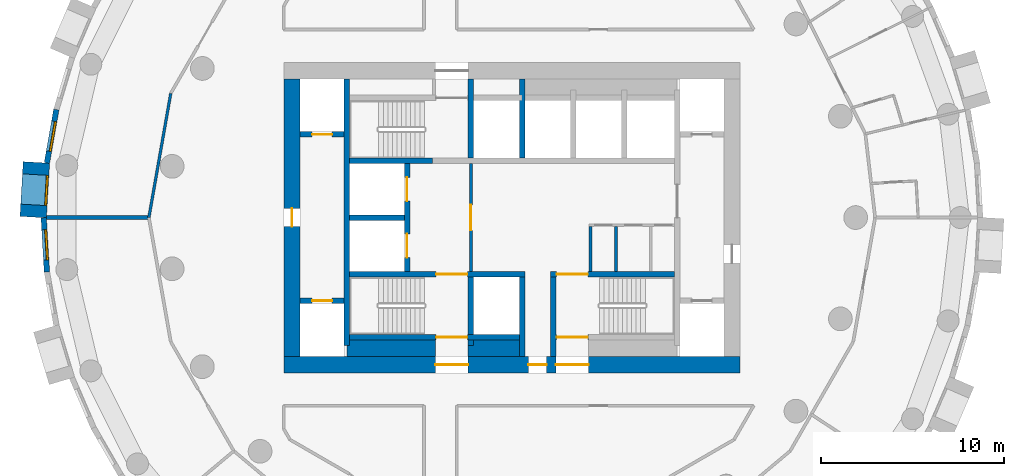
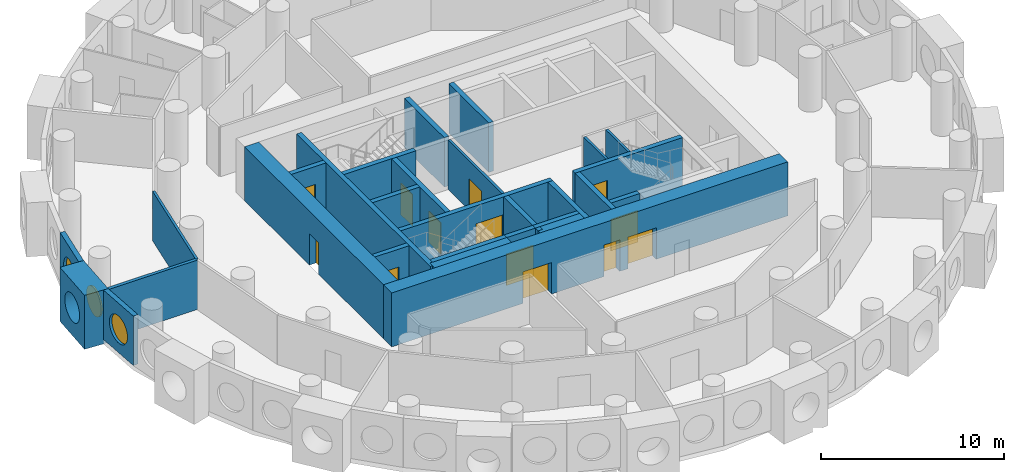
# One storey, part 3 of 10: 29 walls, 13 doors, 3 windows, 16 openings.
"""IFC4 building model written with IfcOpenShell, lengths in metres."""

from ifc_helpers import new_model, si_unit, direction, frame, frame_2d, origin, origin_2d, place, context, subcontext, project, spatial, rectangle, circle, extrude, material, layer, layer_set, type_object, element, fill, save


model = new_model("IFC4")

# Units and contexts
model_context = context("Model", 3, precision=1e-05, world=origin(), true_north=direction((0.0, 1.0)))
body_context = subcontext(model_context, "Body", "Model", "MODEL_VIEW")
ifc_project = project(units=[si_unit("LENGTHUNIT", "METRE"), si_unit("AREAUNIT", "SQUARE_METRE"), si_unit("VOLUMEUNIT", "CUBIC_METRE"), si_unit("PLANEANGLEUNIT", "RADIAN"), si_unit("MASSUNIT", "GRAM", prefix="KILO")], contexts=[model_context])

# Site, building, storey
site_placement = place(None, origin())
site = spatial("IfcSite", under=ifc_project, at=site_placement, CompositionType="ELEMENT")
building_placement = place(site_placement, origin())
building = spatial("IfcBuilding", under=site, at=building_placement, Name="Tracery Tower", CompositionType="ELEMENT")
storey_placement = place(building_placement, frame((0.0, 0.0, 129.60009765625)))
storey = spatial("IfcBuildingStorey", under=building, at=storey_placement, Name="L32", CompositionType="ELEMENT", Elevation=129.60009765625)

# Wall, opening, door
ifc_material_1 = material(Name="Plasterboard on steel studs", Category="steel")
ifc_layer_1 = layer(ifc_material_1, 0.14990234375)
ifc_layer_set_1 = layer_set([ifc_layer_1], Name="Core lobby partition 150")
wall_type_1 = type_object("IfcWallType", Name="Core lobby partition 150", PredefinedType="SOLIDWALL", material=ifc_layer_set_1)
wall_1_placement = place(storey_placement, frame((-2.25, -2.949951171875, 0.0), z_axis=(0.0, 0.0, 1.0), x_axis=(0.0, 1.0, 0.0)))
wall_1 = element("IfcWall", 1, at=wall_1_placement, inside=storey, type_object=wall_type_1, Name="L32 FF lobby E", PredefinedType="SOLIDWALL", context=body_context, shape_type="SweptSolid", body=[
    extrude(rectangle(XDim=5.89990234375, YDim=0.14990234375, at=frame_2d((2.949951171875, 0.0))), origin(), (0.0, 0.0, 1.0), 3.2998046875),
])
opening_1_placement = place(wall_1_placement, frame((2.25, 0.0, 0.0)))
opening_1 = element("IfcOpeningElement", 2, at=opening_1_placement, cuts=wall_1, Name="Opening KD8", PredefinedType="OPENING", context=body_context, shape_type="SweptSolid", body=[
    extrude(rectangle(XDim=1.39990234375, YDim=2.10009765625, at=frame_2d((0.699951171875, 1.050048828125))), frame((0.0, 0.074951171875, 0.0), z_axis=(0.0, -1.0, 0.0), x_axis=(1.0, 0.0, 0.0)), (0.0, 0.0, 1.0), 0.14990234375),
])
ifc_material_2 = material(Name="Steel fire door", Category="steel")
door_type_1 = type_object("IfcDoorType", Name="Core lobby door 1400 double", OperationType="NOTDEFINED", PredefinedType="DOOR", material=ifc_material_2)
door_1_placement = place(opening_1_placement, origin())
door_1 = element("IfcDoor", 3, at=door_1_placement, inside=storey, type_object=door_type_1, Name="Fire-fighting lobby door", OperationType="DOUBLE_DOOR_SINGLE_SWING", OverallHeight=2.10009765625, OverallWidth=1.39990234375, PredefinedType="DOOR", context=body_context, shape_type="SweptSolid", body=[
    extrude(rectangle(XDim=1.39990234375, YDim=2.10009765625, at=frame_2d((0.699951171875, 1.050048828125))), frame((0.0, 0.02490234375, 0.0), z_axis=(0.0, -1.0, 0.0), x_axis=(1.0, 0.0, 0.0)), (0.0, 0.0, 1.0), 0.050048828125),
])
fill(opening_1, door_1)

# Walls
ifc_material_3 = material(Name="Plasterboard on steel studs", Category="steel")
ifc_layer_2 = layer(ifc_material_3, 0.14990234375)
ifc_layer_set_2 = layer_set([ifc_layer_2], Name="Core room partition 150")
wall_type_2 = type_object("IfcWallType", Name="Core room partition 150", PredefinedType="SOLIDWALL", material=ifc_layer_set_2)
for number, where, z_axis, x_axis, name in (
    (4, (4.300048828125, -2.949951171875, 0.0), (0.0, 0.0, 1.0), (0.0, 1.0, 0.0), "L32 slot W"),
    (5, (5.699951171875, -2.949951171875, 0.0), (0.0, 0.0, 1.0), (0.0, 1.0, 0.0), "L32 slot sep 1"),
):
    element("IfcWall", number, at=place(storey_placement, frame(where, z_axis=z_axis, x_axis=x_axis)), inside=storey, type_object=wall_type_2, Name=name, PredefinedType="SOLIDWALL", context=body_context, shape_type="SweptSolid", body=[
        extrude(rectangle(XDim=2.449951171875, YDim=0.14990234375, at=frame_2d((1.22509765625, 0.0))), origin(), (0.0, 0.0, 1.0), 3.2998046875),
    ])
ifc_material_4 = material(Name="Concrete C50/60", Category="concrete")
ifc_layer_3 = layer(ifc_material_4, 0.89990234375)
ifc_layer_set_3 = layer_set([ifc_layer_3], Name="Core strip wall 900 C50")
wall_type_3 = type_object("IfcWallType", Name="Core strip wall 900 C50", PredefinedType="SOLIDWALL", material=ifc_layer_set_3)
wall_2_placement = place(storey_placement, frame((-9.050048828125, -7.14990234375, 0.0), z_axis=(0.0, 0.0, 1.0), x_axis=(1.0, 0.0, 0.0)))
element("IfcWall", 6, at=wall_2_placement, inside=storey, type_object=wall_type_3, Name="L32 F thick S W", PredefinedType="SOLIDWALL", context=body_context, shape_type="SweptSolid", body=[
    extrude(rectangle(XDim=4.85009765625, YDim=0.89990234375, at=frame_2d((2.425048828125, 0.0))), origin(), (0.0, 0.0, 1.0), 3.2998046875),
])
wall_3_placement = place(storey_placement, frame((-2.39990234375, -7.14990234375, 0.0), z_axis=(0.0, 0.0, 1.0), x_axis=(1.0, 0.0, 0.0)))
element("IfcWall", 7, at=wall_3_placement, inside=storey, type_object=wall_type_3, Name="L32 F thick S mid", PredefinedType="SOLIDWALL", context=body_context, shape_type="SweptSolid", body=[
    extrude(rectangle(XDim=2.7998046875, YDim=0.89990234375, at=frame_2d((1.39990234375, 0.0))), origin(), (0.0, 0.0, 1.0), 3.2998046875),
])

# Wall, openings, doors
ifc_material_5 = material(Name="Concrete C50/60", Category="concrete")
ifc_layer_4 = layer(ifc_material_5, 0.89990234375)
ifc_layer_set_4 = layer_set([ifc_layer_4], Name="Core wall 900 C50")
wall_type_4 = type_object("IfcWallType", Name="Core wall 900 C50", PredefinedType="SOLIDWALL", material=ifc_layer_set_4)
wall_4_placement = place(storey_placement, frame((-12.5, -8.050048828125, 0.0), z_axis=(0.0, 0.0, 1.0), x_axis=(1.0, 0.0, 0.0)))
wall_4 = element("IfcWall", 8, at=wall_4_placement, inside=storey, type_object=wall_type_4, Name="L32 outer S", PredefinedType="SOLIDWALL", context=body_context, shape_type="SweptSolid", body=[
    extrude(rectangle(XDim=25.0, YDim=0.89990234375, at=frame_2d((12.5, 0.0))), origin(), (0.0, 0.0, 1.0), 3.599853515625),
])
opening_2_placement = place(wall_4_placement, frame((13.39990234375, 0.0, 0.0)))
opening_2 = element("IfcOpeningElement", 9, at=opening_2_placement, cuts=wall_4, Name="Opening KD16", PredefinedType="OPENING", context=body_context, shape_type="SweptSolid", body=[
    extrude(rectangle(XDim=1.0, YDim=2.10009765625, at=frame_2d((0.5, 1.050048828125))), frame((0.0, 0.449951171875, 0.0), z_axis=(0.0, -1.0, 0.0), x_axis=(1.0, 0.0, 0.0)), (0.0, 0.0, 1.0), 0.89990234375),
])
opening_3_placement = place(wall_4_placement, frame((8.300048828125, 0.0, 0.0)))
opening_3 = element("IfcOpeningElement", 10, at=opening_3_placement, cuts=wall_4, Name="Opening KD13", PredefinedType="OPENING", context=body_context, shape_type="SweptSolid", body=[
    extrude(rectangle(XDim=1.800048828125, YDim=2.10009765625, at=frame_2d((0.89990234375, 1.050048828125))), frame((0.0, 0.449951171875, 0.0), z_axis=(0.0, -1.0, 0.0), x_axis=(1.0, 0.0, 0.0)), (0.0, 0.0, 1.0), 0.89990234375),
])
opening_4_placement = place(wall_4_placement, frame((14.89990234375, 0.0, 0.0)))
opening_4 = element("IfcOpeningElement", 11, at=opening_4_placement, cuts=wall_4, Name="Opening KD13", PredefinedType="OPENING", context=body_context, shape_type="SweptSolid", body=[
    extrude(rectangle(XDim=1.800048828125, YDim=2.10009765625, at=frame_2d((0.89990234375, 1.050048828125))), frame((0.0, 0.449951171875, 0.0), z_axis=(0.0, -1.0, 0.0), x_axis=(1.0, 0.0, 0.0)), (0.0, 0.0, 1.0), 0.89990234375),
])
ifc_material_6 = material(Name="Steel fire door", Category="steel")
door_type_2 = type_object("IfcDoorType", Name="Core exit door 1000", OperationType="NOTDEFINED", PredefinedType="DOOR", material=ifc_material_6)
door_2_placement = place(opening_2_placement, origin())
door_2 = element("IfcDoor", 12, at=door_2_placement, inside=storey, type_object=door_type_2, Name="Core exit door", OperationType="SINGLE_SWING_LEFT", OverallHeight=2.10009765625, OverallWidth=1.0, PredefinedType="DOOR", context=body_context, shape_type="SweptSolid", body=[
    extrude(rectangle(XDim=1.0, YDim=2.10009765625, at=frame_2d((0.5, 1.050048828125))), frame((0.0, 0.02490234375, 0.0), z_axis=(0.0, -1.0, 0.0), x_axis=(1.0, 0.0, 0.0)), (0.0, 0.0, 1.0), 0.050048828125),
])
fill(opening_2, door_2)
ifc_material_7 = material(Name="Steel fire door", Category="steel")
door_type_3 = type_object("IfcDoorType", Name="Core exit door 1800 double", OperationType="NOTDEFINED", PredefinedType="DOOR", material=ifc_material_7)
door_3_placement = place(opening_3_placement, origin())
door_3 = element("IfcDoor", 13, at=door_3_placement, inside=storey, type_object=door_type_3, Name="Core exit door", OperationType="DOUBLE_DOOR_SINGLE_SWING", OverallHeight=2.10009765625, OverallWidth=1.800048828125, PredefinedType="DOOR", context=body_context, shape_type="SweptSolid", body=[
    extrude(rectangle(XDim=1.800048828125, YDim=2.10009765625, at=frame_2d((0.89990234375, 1.050048828125))), frame((0.0, 0.02490234375, 0.0), z_axis=(0.0, -1.0, 0.0), x_axis=(1.0, 0.0, 0.0)), (0.0, 0.0, 1.0), 0.050048828125),
])
fill(opening_3, door_3)
door_4_placement = place(opening_4_placement, origin())
door_4 = element("IfcDoor", 14, at=door_4_placement, inside=storey, type_object=door_type_3, Name="Core exit door", OperationType="DOUBLE_DOOR_SINGLE_SWING", OverallHeight=2.10009765625, OverallWidth=1.800048828125, PredefinedType="DOOR", context=body_context, shape_type="SweptSolid", body=[
    extrude(rectangle(XDim=1.800048828125, YDim=2.10009765625, at=frame_2d((0.89990234375, 1.050048828125))), frame((0.0, 0.02490234375, 0.0), z_axis=(0.0, -1.0, 0.0), x_axis=(1.0, 0.0, 0.0)), (0.0, 0.0, 1.0), 0.050048828125),
])
fill(opening_4, door_4)

# Wall, opening, door
wall_5_placement = place(storey_placement, frame((-12.050048828125, -7.60009765625, 0.0), z_axis=(0.0, 0.0, 1.0), x_axis=(0.0, 1.0, 0.0)))
wall_5 = element("IfcWall", 15, at=wall_5_placement, inside=storey, type_object=wall_type_4, Name="L32 outer W", PredefinedType="SOLIDWALL", context=body_context, shape_type="SweptSolid", body=[
    extrude(rectangle(XDim=15.2001953125, YDim=0.89990234375, at=frame_2d((7.60009765625, 0.0))), origin(), (0.0, 0.0, 1.0), 3.599853515625),
])
opening_5_placement = place(wall_5_placement, frame((7.10009765625, 0.0, 0.0)))
opening_5 = element("IfcOpeningElement", 16, at=opening_5_placement, cuts=wall_5, Name="Opening KD18", PredefinedType="OPENING", context=body_context, shape_type="SweptSolid", body=[
    extrude(rectangle(XDim=1.0, YDim=2.10009765625, at=frame_2d((0.5, 1.050048828125))), frame((0.0, 0.449951171875, 0.0), z_axis=(0.0, -1.0, 0.0), x_axis=(1.0, 0.0, 0.0)), (0.0, 0.0, 1.0), 0.89990234375),
])
door_5_placement = place(opening_5_placement, origin())
door_5 = element("IfcDoor", 17, at=door_5_placement, inside=storey, type_object=door_type_2, Name="Core exit door", OperationType="DOUBLE_DOOR_SINGLE_SWING", OverallHeight=2.10009765625, OverallWidth=1.0, PredefinedType="DOOR", context=body_context, shape_type="SweptSolid", body=[
    extrude(rectangle(XDim=1.0, YDim=2.10009765625, at=frame_2d((0.5, 1.050048828125))), frame((0.0, 0.02490234375, 0.0), z_axis=(0.0, -1.0, 0.0), x_axis=(1.0, 0.0, 0.0)), (0.0, 0.0, 1.0), 0.050048828125),
])
fill(opening_5, door_5)

# Wall, opening, window
ifc_material_8 = material(Name="Precast concrete C50/60", Category="concrete")
ifc_layer_5 = layer(ifc_material_8, 1.449951171875)
ifc_layer_set_5 = layer_set([ifc_layer_5], Name="Deep-set bay unit 3000 x 3600, slab edge 300")
wall_type_5 = type_object("IfcWallType", Name="Deep-set bay unit 3000 x 3600, slab edge 300", PredefinedType="ELEMENTEDWALL", material=ifc_layer_set_5)
wall_6_placement = place(storey_placement, frame((-26.047607421875, 3.01953125, -0.300048828125), z_axis=(0.0, 0.0, 1.0), x_axis=(-0.058106596105, -0.998310384344, 0.0)))
wall_6 = element("IfcWall", 18, at=wall_6_placement, inside=storey, type_object=wall_type_5, Name="Deep-set bay unit 27 at L32", PredefinedType="ELEMENTEDWALL", context=body_context, shape_type="SweptSolid", body=[
    extrude(rectangle(XDim=3.0, YDim=1.449951171875, at=frame_2d((1.5, 0.0))), origin(), (0.0, 0.0, 1.0), 3.599853515625),
])
opening_6_placement = place(wall_6_placement, frame((1.5, 0.0, 1.85009765625)))
opening_6 = element("IfcOpeningElement", 19, at=opening_6_placement, cuts=wall_6, Name="Opening WN1", PredefinedType="OPENING", context=body_context, shape_type="SweptSolid", body=[
    extrude(circle(Radius=0.9000244140625, at=origin_2d()), frame((0.0, 0.73486328125, 0.0), z_axis=(0.0, -1.0, 0.0), x_axis=(1.0, 0.0, 0.0)), (0.0, 0.0, 1.0), 1.469970703125),
])
ifc_material_9 = material(Name="Aluminium frame with tinted double glazing", Category="aluminium")
window_type = type_object("IfcWindowType", Name="Round window 1800", PartitioningType="SINGLE_PANEL", PredefinedType="WINDOW", material=ifc_material_9)
window_1_placement = place(opening_6_placement, origin())
window_1 = element("IfcWindow", 20, at=window_1_placement, inside=storey, type_object=window_type, Name="Round window 27 at L32", OverallHeight=1.800048828125, OverallWidth=1.800048828125, PartitioningType="SINGLE_PANEL", PredefinedType="WINDOW", context=body_context, shape_type="SweptSolid", body=[
    extrude(circle(Radius=0.9000244140625, at=origin_2d()), frame((0.0, 0.69482421875, 0.0), z_axis=(0.0, -1.0, 0.0), x_axis=(1.0, 0.0, 0.0)), (0.0, 0.0, 1.0), 0.10009765625),
])
fill(opening_6, window_1)

ifc_material_10 = material(Name="Precast concrete C50/60", Category="concrete")
ifc_layer_6 = layer(ifc_material_10, 0.300048828125)
ifc_layer_set_6 = layer_set([ifc_layer_6], Name="Facade panel 3000 x 3300")
wall_type_6 = type_object("IfcWallType", Name="Facade panel 3000 x 3300", PredefinedType="SOLIDWALL", material=ifc_layer_set_6)
wall_7_placement = place(storey_placement, frame((-24.9560546875, 5.914794921875, 0.0), z_axis=(0.0, 0.0, 1.0), x_axis=(-0.173686952598, -0.984800915159, 0.0)))
wall_7 = element("IfcWall", 21, at=wall_7_placement, inside=storey, type_object=wall_type_6, Name="Facade panel 26 at L32", PredefinedType="SOLIDWALL", context=body_context, shape_type="SweptSolid", body=[
    extrude(rectangle(XDim=2.972900390625, YDim=0.300048828125, at=frame_2d((1.486328125, 0.0))), origin(), (0.0, 0.0, 1.0), 3.2998046875),
])
opening_7_placement = place(wall_7_placement, frame((1.486328125, 0.0, 1.5498046875)))
opening_7 = element("IfcOpeningElement", 22, at=opening_7_placement, cuts=wall_7, Name="Opening WN1", PredefinedType="OPENING", context=body_context, shape_type="SweptSolid", body=[
    extrude(circle(Radius=0.9000244140625, at=origin_2d()), frame((0.0, 0.159912109375, 0.0), z_axis=(0.0, -1.0, 0.0), x_axis=(1.0, 0.0, 0.0)), (0.0, 0.0, 1.0), 0.320068359375),
])
window_2_placement = place(opening_7_placement, origin())
window_2 = element("IfcWindow", 23, at=window_2_placement, inside=storey, type_object=window_type, Name="Round window 26 at L32", OverallHeight=1.800048828125, OverallWidth=1.800048828125, PartitioningType="SINGLE_PANEL", PredefinedType="WINDOW", context=body_context, shape_type="SweptSolid", body=[
    extrude(circle(Radius=0.9000244140625, at=origin_2d()), frame((0.0, 0.1201171875, 0.0), z_axis=(0.0, -1.0, 0.0), x_axis=(1.0, 0.0, 0.0)), (0.0, 0.0, 1.0), 0.10009765625),
])
fill(opening_7, window_2)

wall_8_placement = place(storey_placement, frame((-25.64697265625, -0.009521484375, 0.0), z_axis=(0.0, 0.0, 1.0), x_axis=(0.058139540521, -0.998308466271, 0.0)))
wall_8 = element("IfcWall", 24, at=wall_8_placement, inside=storey, type_object=wall_type_6, Name="Facade panel 28 at L32", PredefinedType="SOLIDWALL", context=body_context, shape_type="SweptSolid", body=[
    extrude(rectangle(XDim=2.97314453125, YDim=0.300048828125, at=frame_2d((1.486572265625, 0.0))), origin(), (0.0, 0.0, 1.0), 3.2998046875),
])
opening_8_placement = place(wall_8_placement, frame((1.486328125, 0.0, 1.5498046875)))
opening_8 = element("IfcOpeningElement", 25, at=opening_8_placement, cuts=wall_8, Name="Opening WN1", PredefinedType="OPENING", context=body_context, shape_type="SweptSolid", body=[
    extrude(circle(Radius=0.9000244140625, at=origin_2d()), frame((0.0, 0.159912109375, 0.0), z_axis=(0.0, -1.0, 0.0), x_axis=(1.0, 0.0, 0.0)), (0.0, 0.0, 1.0), 0.320068359375),
])
window_3_placement = place(opening_8_placement, origin())
window_3 = element("IfcWindow", 26, at=window_3_placement, inside=storey, type_object=window_type, Name="Round window 28 at L32", OverallHeight=1.800048828125, OverallWidth=1.800048828125, PartitioningType="SINGLE_PANEL", PredefinedType="WINDOW", context=body_context, shape_type="SweptSolid", body=[
    extrude(circle(Radius=0.9000244140625, at=origin_2d()), frame((0.0, 0.1201171875, 0.0), z_axis=(0.0, -1.0, 0.0), x_axis=(1.0, 0.0, 0.0)), (0.0, 0.0, 1.0), 0.10009765625),
])
fill(opening_8, window_3)

# Walls
ifc_material_11 = material(Name="Plasterboard on steel studs", Category="steel")
ifc_layer_7 = layer(ifc_material_11, 0.14990234375)
ifc_layer_set_7 = layer_set([ifc_layer_7], Name="Partition 150 corridor wall")
wall_type_7 = type_object("IfcWallType", Name="Partition 150 corridor wall", PredefinedType="PARTITIONING", material=ifc_layer_set_7)
wall_9_placement = place(storey_placement, frame((-19.887939453125, 0.0, 0.0), z_axis=(0.0, 0.0, 1.0), x_axis=(0.173728873845, 0.98479352069, 0.0)))
element("IfcWall", 27, at=wall_9_placement, inside=storey, type_object=wall_type_7, Name="Corridor wall RB1-027", PredefinedType="PARTITIONING", context=body_context, shape_type="SweptSolid", body=[
    extrude(rectangle(XDim=6.906982421875, YDim=0.14990234375, at=frame_2d((3.45361328125, 0.0))), origin(), (0.0, 0.0, 1.0), 3.2998046875),
])
ifc_material_12 = material(Name="Plasterboard on steel studs", Category="steel")
ifc_layer_8 = layer(ifc_material_12, 0.199951171875)
ifc_layer_set_8 = layer_set([ifc_layer_8], Name="Partition 200 compartment wall")
wall_type_8 = type_object("IfcWallType", Name="Partition 200 compartment wall", PredefinedType="PARTITIONING", material=ifc_layer_set_8)
wall_10_placement = place(storey_placement, frame((-25.4970703125, 0.0, 0.0), z_axis=(0.0, 0.0, 1.0), x_axis=(1.0, 0.0, 0.0)))
element("IfcWall", 28, at=wall_10_placement, inside=storey, type_object=wall_type_8, Name="Compartment wall RB1-076", PredefinedType="PARTITIONING", context=body_context, shape_type="SweptSolid", body=[
    extrude(rectangle(XDim=5.609130859375, YDim=0.199951171875, at=frame_2d((2.8046875, 0.0))), origin(), (0.0, 0.0, 1.0), 3.2998046875),
])
ifc_material_13 = material(Name="Concrete C50/60", Category="concrete")
ifc_layer_9 = layer(ifc_material_13, 0.300048828125)
ifc_layer_set_9 = layer_set([ifc_layer_9], Name="Shaft wall 300 C50")
wall_type_9 = type_object("IfcWallType", Name="Shaft wall 300 C50", PredefinedType="SOLIDWALL", material=ifc_layer_set_9)
wall_11_placement = place(storey_placement, frame((-8.89990234375, 0.0, 0.0), z_axis=(0.0, 0.0, 1.0), x_axis=(1.0, 0.0, 0.0)))
element("IfcWall", 29, at=wall_11_placement, inside=storey, type_object=wall_type_9, Name="L32 FF split", PredefinedType="SOLIDWALL", context=body_context, shape_type="SweptSolid", body=[
    extrude(rectangle(XDim=3.0, YDim=0.300048828125, at=frame_2d((1.5, 0.0))), origin(), (0.0, 0.0, 1.0), 3.2998046875),
])

# Wall, openings, doors
wall_12_placement = place(storey_placement, frame((-5.75, -2.949951171875, 0.0), z_axis=(0.0, 0.0, 1.0), x_axis=(0.0, 1.0, 0.0)))
wall_12 = element("IfcWall", 30, at=wall_12_placement, inside=storey, type_object=wall_type_9, Name="L32 FF doors", PredefinedType="SOLIDWALL", context=body_context, shape_type="SweptSolid", body=[
    extrude(rectangle(XDim=5.89990234375, YDim=0.300048828125, at=frame_2d((2.949951171875, 0.0))), origin(), (0.0, 0.0, 1.0), 3.2998046875),
])
opening_9_placement = place(wall_12_placement, frame((0.75, 0.0, 0.0)))
opening_9 = element("IfcOpeningElement", 31, at=opening_9_placement, cuts=wall_12, Name="Opening KD54", PredefinedType="OPENING", context=body_context, shape_type="SweptSolid", body=[
    extrude(rectangle(XDim=1.300048828125, YDim=2.10009765625, at=frame_2d((0.64990234375, 1.050048828125))), frame((0.0, 0.14990234375, 0.0), z_axis=(0.0, -1.0, 0.0), x_axis=(1.0, 0.0, 0.0)), (0.0, 0.0, 1.0), 0.300048828125),
])
opening_10_placement = place(wall_12_placement, frame((3.85009765625, 0.0, 0.0)))
opening_10 = element("IfcOpeningElement", 32, at=opening_10_placement, cuts=wall_12, Name="Opening KD55", PredefinedType="OPENING", context=body_context, shape_type="SweptSolid", body=[
    extrude(rectangle(XDim=1.300048828125, YDim=2.10009765625, at=frame_2d((0.64990234375, 1.050048828125))), frame((0.0, 0.14990234375, 0.0), z_axis=(0.0, -1.0, 0.0), x_axis=(1.0, 0.0, 0.0)), (0.0, 0.0, 1.0), 0.300048828125),
])
ifc_material_14 = material(Name="Steel fire door", Category="steel")
door_type_4 = type_object("IfcDoorType", Name="Landing door FF 1300", OperationType="NOTDEFINED", PredefinedType="DOOR", material=ifc_material_14)
door_6_placement = place(opening_9_placement, origin())
door_6 = element("IfcDoor", 33, at=door_6_placement, inside=storey, type_object=door_type_4, Name="Landing door FF1", OperationType="SLIDING_TO_LEFT", OverallHeight=2.10009765625, OverallWidth=1.300048828125, PredefinedType="DOOR", context=body_context, shape_type="SweptSolid", body=[
    extrude(rectangle(XDim=1.300048828125, YDim=2.10009765625, at=frame_2d((0.64990234375, 1.050048828125))), frame((0.0, 0.02490234375, 0.0), z_axis=(0.0, -1.0, 0.0), x_axis=(1.0, 0.0, 0.0)), (0.0, 0.0, 1.0), 0.050048828125),
])
fill(opening_9, door_6)
door_7_placement = place(opening_10_placement, origin())
door_7 = element("IfcDoor", 34, at=door_7_placement, inside=storey, type_object=door_type_4, Name="Landing door FF2", OperationType="SLIDING_TO_RIGHT", OverallHeight=2.10009765625, OverallWidth=1.300048828125, PredefinedType="DOOR", context=body_context, shape_type="SweptSolid", body=[
    extrude(rectangle(XDim=1.300048828125, YDim=2.10009765625, at=frame_2d((0.64990234375, 1.050048828125))), frame((0.0, 0.02490234375, 0.0), z_axis=(0.0, -1.0, 0.0), x_axis=(1.0, 0.0, 0.0)), (0.0, 0.0, 1.0), 0.050048828125),
])
fill(opening_10, door_7)

# Walls
for number, where, z_axis, x_axis, name in (
    (35, (0.550048828125, -7.60009765625, 0.0), (0.0, 0.0, 1.0), (0.0, 1.0, 0.0), "L32 OB2 E"),
    (36, (0.550048828125, 3.25, 0.0), (0.0, 0.0, 1.0), (0.0, 1.0, 0.0), "L32 HR sep 1"),
):
    element("IfcWall", number, at=place(storey_placement, frame(where, z_axis=z_axis, x_axis=x_axis)), inside=storey, type_object=wall_type_9, Name=name, PredefinedType="SOLIDWALL", context=body_context, shape_type="SweptSolid", body=[
        extrude(rectangle(XDim=4.35009765625, YDim=0.300048828125, at=frame_2d((2.175048828125, 0.0))), origin(), (0.0, 0.0, 1.0), 3.2998046875),
    ])

# Wall, opening, door
wall_13_placement = place(storey_placement, frame((-11.60009765625, -4.550048828125, 0.0), z_axis=(0.0, 0.0, 1.0), x_axis=(1.0, 0.0, 0.0)))
wall_13 = element("IfcWall", 37, at=wall_13_placement, inside=storey, type_object=wall_type_9, Name="L32 MR W -4.55", PredefinedType="SOLIDWALL", context=body_context, shape_type="SweptSolid", body=[
    extrude(rectangle(XDim=2.400146484375, YDim=0.300048828125, at=frame_2d((1.2001953125, 0.0))), origin(), (0.0, 0.0, 1.0), 3.2998046875),
])
opening_11_placement = place(wall_13_placement, frame((0.64990234375, 0.0, 0.0)))
opening_11 = element("IfcOpeningElement", 38, at=opening_11_placement, cuts=wall_13, Name="Opening KD50", PredefinedType="OPENING", context=body_context, shape_type="SweptSolid", body=[
    extrude(rectangle(XDim=1.10009765625, YDim=2.10009765625, at=frame_2d((0.550048828125, 1.050048828125))), frame((0.0, 0.14990234375, 0.0), z_axis=(0.0, -1.0, 0.0), x_axis=(1.0, 0.0, 0.0)), (0.0, 0.0, 1.0), 0.300048828125),
])
ifc_material_15 = material(Name="Steel fire door", Category="steel")
door_type_5 = type_object("IfcDoorType", Name="Landing door 1100", OperationType="NOTDEFINED", PredefinedType="DOOR", material=ifc_material_15)
door_8_placement = place(opening_11_placement, origin())
door_8 = element("IfcDoor", 39, at=door_8_placement, inside=storey, type_object=door_type_5, Name="Landing door MR1", OperationType="SLIDING_TO_RIGHT", OverallHeight=2.10009765625, OverallWidth=1.10009765625, PredefinedType="DOOR", context=body_context, shape_type="SweptSolid", body=[
    extrude(rectangle(XDim=1.10009765625, YDim=2.10009765625, at=frame_2d((0.550048828125, 1.050048828125))), frame((0.0, 0.02490234375, 0.0), z_axis=(0.0, -1.0, 0.0), x_axis=(1.0, 0.0, 0.0)), (0.0, 0.0, 1.0), 0.050048828125),
])
fill(opening_11, door_8)

wall_14_placement = place(storey_placement, frame((-11.60009765625, 4.550048828125, 0.0), z_axis=(0.0, 0.0, 1.0), x_axis=(1.0, 0.0, 0.0)))
wall_14 = element("IfcWall", 40, at=wall_14_placement, inside=storey, type_object=wall_type_9, Name="L32 MR W +4.55", PredefinedType="SOLIDWALL", context=body_context, shape_type="SweptSolid", body=[
    extrude(rectangle(XDim=2.400146484375, YDim=0.300048828125, at=frame_2d((1.2001953125, 0.0))), origin(), (0.0, 0.0, 1.0), 3.2998046875),
])
opening_12_placement = place(wall_14_placement, frame((0.64990234375, 0.0, 0.0)))
opening_12 = element("IfcOpeningElement", 41, at=opening_12_placement, cuts=wall_14, Name="Opening KD49", PredefinedType="OPENING", context=body_context, shape_type="SweptSolid", body=[
    extrude(rectangle(XDim=1.10009765625, YDim=2.10009765625, at=frame_2d((0.550048828125, 1.050048828125))), frame((0.0, 0.14990234375, 0.0), z_axis=(0.0, -1.0, 0.0), x_axis=(1.0, 0.0, 0.0)), (0.0, 0.0, 1.0), 0.300048828125),
])
door_9_placement = place(opening_12_placement, origin())
door_9 = element("IfcDoor", 42, at=door_9_placement, inside=storey, type_object=door_type_5, Name="Landing door MR2", OperationType="SLIDING_TO_LEFT", OverallHeight=2.10009765625, OverallWidth=1.10009765625, PredefinedType="DOOR", context=body_context, shape_type="SweptSolid", body=[
    extrude(rectangle(XDim=1.10009765625, YDim=2.10009765625, at=frame_2d((0.550048828125, 1.050048828125))), frame((0.0, 0.02490234375, 0.0), z_axis=(0.0, -1.0, 0.0), x_axis=(1.0, 0.0, 0.0)), (0.0, 0.0, 1.0), 0.050048828125),
])
fill(opening_12, door_9)

ifc_material_16 = material(Name="Concrete C50/60", Category="concrete")
ifc_layer_10 = layer(ifc_material_16, 0.300048828125)
ifc_layer_set_10 = layer_set([ifc_layer_10], Name="Stair wall 300 C50")
wall_type_10 = type_object("IfcWallType", Name="Stair wall 300 C50", PredefinedType="SOLIDWALL", material=ifc_layer_set_10)
wall_15_placement = place(storey_placement, frame((-8.89990234375, -3.10009765625, 0.0), z_axis=(0.0, 0.0, 1.0), x_axis=(1.0, 0.0, 0.0)))
wall_15 = element("IfcWall", 43, at=wall_15_placement, inside=storey, type_object=wall_type_10, Name="L32 row S", PredefinedType="SOLIDWALL", context=body_context, shape_type="SweptSolid", body=[
    extrude(rectangle(XDim=9.599853515625, YDim=0.300048828125, at=frame_2d((4.7998046875, 0.0))), origin(), (0.0, 0.0, 1.0), 3.2998046875),
])
opening_13_placement = place(wall_15_placement, frame((4.75, 0.0, 0.0)))
opening_13 = element("IfcOpeningElement", 44, at=opening_13_placement, cuts=wall_15, Name="Opening KD3", PredefinedType="OPENING", context=body_context, shape_type="SweptSolid", body=[
    extrude(rectangle(XDim=1.699951171875, YDim=2.10009765625, at=frame_2d((0.85009765625, 1.050048828125))), frame((0.0, 0.14990234375, 0.0), z_axis=(0.0, -1.0, 0.0), x_axis=(1.0, 0.0, 0.0)), (0.0, 0.0, 1.0), 0.300048828125),
])
ifc_material_17 = material(Name="Steel fire door", Category="steel")
door_type_6 = type_object("IfcDoorType", Name="Core stair door 1700 double", OperationType="NOTDEFINED", PredefinedType="DOOR", material=ifc_material_17)
door_10_placement = place(opening_13_placement, origin())
door_10 = element("IfcDoor", 45, at=door_10_placement, inside=storey, type_object=door_type_6, Name="Stair door ST1", OperationType="DOUBLE_DOOR_SINGLE_SWING", OverallHeight=2.10009765625, OverallWidth=1.699951171875, PredefinedType="DOOR", context=body_context, shape_type="SweptSolid", body=[
    extrude(rectangle(XDim=1.699951171875, YDim=2.10009765625, at=frame_2d((0.85009765625, 1.050048828125))), frame((0.0, 0.02490234375, 0.0), z_axis=(0.0, -1.0, 0.0), x_axis=(1.0, 0.0, 0.0)), (0.0, 0.0, 1.0), 0.050048828125),
])
fill(opening_13, door_10)

wall_16_placement = place(storey_placement, frame((2.10009765625, -3.10009765625, 0.0), z_axis=(0.0, 0.0, 1.0), x_axis=(1.0, 0.0, 0.0)))
wall_16 = element("IfcWall", 46, at=wall_16_placement, inside=storey, type_object=wall_type_10, Name="L32 row S E", PredefinedType="SOLIDWALL", context=body_context, shape_type="SweptSolid", body=[
    extrude(rectangle(XDim=6.7998046875, YDim=0.300048828125, at=frame_2d((3.39990234375, 0.0))), origin(), (0.0, 0.0, 1.0), 3.2998046875),
])
opening_14_placement = place(wall_16_placement, frame((0.35009765625, 0.0, 0.0)))
opening_14 = element("IfcOpeningElement", 47, at=opening_14_placement, cuts=wall_16, Name="Opening KD3", PredefinedType="OPENING", context=body_context, shape_type="SweptSolid", body=[
    extrude(rectangle(XDim=1.699951171875, YDim=2.10009765625, at=frame_2d((0.85009765625, 1.050048828125))), frame((0.0, 0.14990234375, 0.0), z_axis=(0.0, -1.0, 0.0), x_axis=(1.0, 0.0, 0.0)), (0.0, 0.0, 1.0), 0.300048828125),
])
door_11_placement = place(opening_14_placement, origin())
door_11 = element("IfcDoor", 48, at=door_11_placement, inside=storey, type_object=door_type_6, Name="Stair door ST2", OperationType="DOUBLE_DOOR_SINGLE_SWING", OverallHeight=2.10009765625, OverallWidth=1.699951171875, PredefinedType="DOOR", context=body_context, shape_type="SweptSolid", body=[
    extrude(rectangle(XDim=1.699951171875, YDim=2.10009765625, at=frame_2d((0.85009765625, 1.050048828125))), frame((0.0, 0.02490234375, 0.0), z_axis=(0.0, -1.0, 0.0), x_axis=(1.0, 0.0, 0.0)), (0.0, 0.0, 1.0), 0.050048828125),
])
fill(opening_14, door_11)

# Walls
wall_17_placement = place(storey_placement, frame((-8.89990234375, 3.10009765625, 0.0), z_axis=(0.0, 0.0, 1.0), x_axis=(1.0, 0.0, 0.0)))
element("IfcWall", 49, at=wall_17_placement, inside=storey, type_object=wall_type_10, Name="L32 row N W", PredefinedType="SOLIDWALL", context=body_context, shape_type="SweptSolid", body=[
    extrude(rectangle(XDim=4.5498046875, YDim=0.300048828125, at=frame_2d((2.27490234375, 0.0))), origin(), (0.0, 0.0, 1.0), 3.2998046875),
])
wall_18_placement = place(storey_placement, frame((-2.25, -7.0, 0.0), z_axis=(0.0, 0.0, 1.0), x_axis=(0.0, 1.0, 0.0)))
element("IfcWall", 50, at=wall_18_placement, inside=storey, type_object=wall_type_10, Name="L32 ST1 E", PredefinedType="SOLIDWALL", context=body_context, shape_type="SweptSolid", body=[
    extrude(rectangle(XDim=3.75, YDim=0.300048828125, at=frame_2d((1.875, 0.0))), origin(), (0.0, 0.0, 1.0), 3.2998046875),
])
for number, where, z_axis, x_axis, name in (
    (51, (-2.25, 3.25, 0.0), (0.0, 0.0, 1.0), (0.0, 1.0, 0.0), "L32 ST3 E"),
    (52, (2.25, -7.60009765625, 0.0), (0.0, 0.0, 1.0), (0.0, 1.0, 0.0), "L32 ST2 W"),
):
    element("IfcWall", number, at=place(storey_placement, frame(where, z_axis=z_axis, x_axis=x_axis)), inside=storey, type_object=wall_type_10, Name=name, PredefinedType="SOLIDWALL", context=body_context, shape_type="SweptSolid", body=[
        extrude(rectangle(XDim=4.35009765625, YDim=0.300048828125, at=frame_2d((2.175048828125, 0.0))), origin(), (0.0, 0.0, 1.0), 3.2998046875),
    ])
wall_19_placement = place(storey_placement, frame((-9.050048828125, -7.0, 0.0), z_axis=(0.0, 0.0, 1.0), x_axis=(0.0, 1.0, 0.0)))
element("IfcWall", 53, at=wall_19_placement, inside=storey, type_object=wall_type_10, Name="L32 F wall -9", PredefinedType="SOLIDWALL", context=body_context, shape_type="SweptSolid", body=[
    extrude(rectangle(XDim=14.60009765625, YDim=0.300048828125, at=frame_2d((7.300048828125, 0.0))), origin(), (0.0, 0.0, 1.0), 3.2998046875),
])
wall_20_placement = place(storey_placement, frame((-8.89990234375, -6.550048828125, 0.0), z_axis=(0.0, 0.0, 1.0), x_axis=(1.0, 0.0, 0.0)))
element("IfcWall", 54, at=wall_20_placement, inside=storey, type_object=wall_type_10, Name="L32 F stair strip S W", PredefinedType="SOLIDWALL", context=body_context, shape_type="SweptSolid", body=[
    extrude(rectangle(XDim=4.699951171875, YDim=0.300048828125, at=frame_2d((2.35009765625, 0.0))), origin(), (0.0, 0.0, 1.0), 3.2998046875),
])
wall_21_placement = place(storey_placement, frame((-2.39990234375, -6.550048828125, 0.0), z_axis=(0.0, 0.0, 1.0), x_axis=(1.0, 0.0, 0.0)))
element("IfcWall", 55, at=wall_21_placement, inside=storey, type_object=wall_type_10, Name="L32 F stair strip S mid", PredefinedType="SOLIDWALL", context=body_context, shape_type="SweptSolid", body=[
    extrude(rectangle(XDim=2.7998046875, YDim=0.300048828125, at=frame_2d((1.39990234375, 0.0))), origin(), (0.0, 0.0, 1.0), 3.2998046875),
])

# Wall, opening, door
wall_22_placement = place(storey_placement, frame((-4.199951171875, -6.550048828125, 0.0), z_axis=(0.0, 0.0, 1.0), x_axis=(1.0, 0.0, 0.0)))
wall_22 = element("IfcWall", 56, at=wall_22_placement, inside=storey, type_object=wall_type_10, Name="L32 F stair S W", PredefinedType="SOLIDWALL", context=body_context, shape_type="SweptSolid", body=[
    extrude(rectangle(XDim=1.800048828125, YDim=0.300048828125, at=frame_2d((0.89990234375, 0.0))), origin(), (0.0, 0.0, 1.0), 3.2998046875),
])
opening_15_placement = place(wall_22_placement, frame((0.050048828125, 0.0, 0.0)))
opening_15 = element("IfcOpeningElement", 57, at=opening_15_placement, cuts=wall_22, Name="Opening KD3", PredefinedType="OPENING", context=body_context, shape_type="SweptSolid", body=[
    extrude(rectangle(XDim=1.699951171875, YDim=2.10009765625, at=frame_2d((0.85009765625, 1.050048828125))), frame((0.0, 0.14990234375, 0.0), z_axis=(0.0, -1.0, 0.0), x_axis=(1.0, 0.0, 0.0)), (0.0, 0.0, 1.0), 0.300048828125),
])
door_12_placement = place(opening_15_placement, origin())
door_12 = element("IfcDoor", 58, at=door_12_placement, inside=storey, type_object=door_type_6, Name="Stair door vest", OperationType="DOUBLE_DOOR_SINGLE_SWING", OverallHeight=2.10009765625, OverallWidth=1.699951171875, PredefinedType="DOOR", context=body_context, shape_type="SweptSolid", body=[
    extrude(rectangle(XDim=1.699951171875, YDim=2.10009765625, at=frame_2d((0.85009765625, 1.050048828125))), frame((0.0, 0.02490234375, 0.0), z_axis=(0.0, -1.0, 0.0), x_axis=(1.0, 0.0, 0.0)), (0.0, 0.0, 1.0), 0.050048828125),
])
fill(opening_15, door_12)

wall_23_placement = place(storey_placement, frame((2.39990234375, -6.550048828125, 0.0), z_axis=(0.0, 0.0, 1.0), x_axis=(1.0, 0.0, 0.0)))
wall_23 = element("IfcWall", 59, at=wall_23_placement, inside=storey, type_object=wall_type_10, Name="L32 F stair S E", PredefinedType="SOLIDWALL", context=body_context, shape_type="SweptSolid", body=[
    extrude(rectangle(XDim=1.800048828125, YDim=0.300048828125, at=frame_2d((0.89990234375, 0.0))), origin(), (0.0, 0.0, 1.0), 3.2998046875),
])
opening_16_placement = place(wall_23_placement, frame((0.050048828125, 0.0, 0.0)))
opening_16 = element("IfcOpeningElement", 60, at=opening_16_placement, cuts=wall_23, Name="Opening KD3", PredefinedType="OPENING", context=body_context, shape_type="SweptSolid", body=[
    extrude(rectangle(XDim=1.699951171875, YDim=2.10009765625, at=frame_2d((0.85009765625, 1.050048828125))), frame((0.0, 0.14990234375, 0.0), z_axis=(0.0, -1.0, 0.0), x_axis=(1.0, 0.0, 0.0)), (0.0, 0.0, 1.0), 0.300048828125),
])
door_13_placement = place(opening_16_placement, origin())
door_13 = element("IfcDoor", 61, at=door_13_placement, inside=storey, type_object=door_type_6, Name="Stair door vest", OperationType="DOUBLE_DOOR_SINGLE_SWING", OverallHeight=2.10009765625, OverallWidth=1.699951171875, PredefinedType="DOOR", context=body_context, shape_type="SweptSolid", body=[
    extrude(rectangle(XDim=1.699951171875, YDim=2.10009765625, at=frame_2d((0.85009765625, 1.050048828125))), frame((0.0, 0.02490234375, 0.0), z_axis=(0.0, -1.0, 0.0), x_axis=(1.0, 0.0, 0.0)), (0.0, 0.0, 1.0), 0.050048828125),
])
fill(opening_16, door_13)

save(model, "model.ifc")
